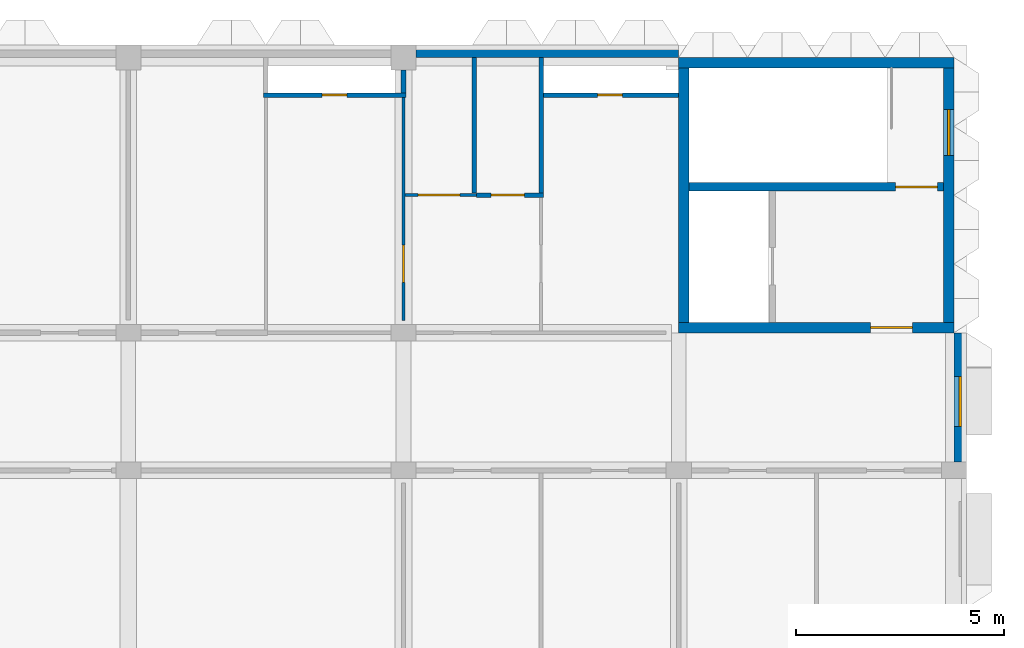
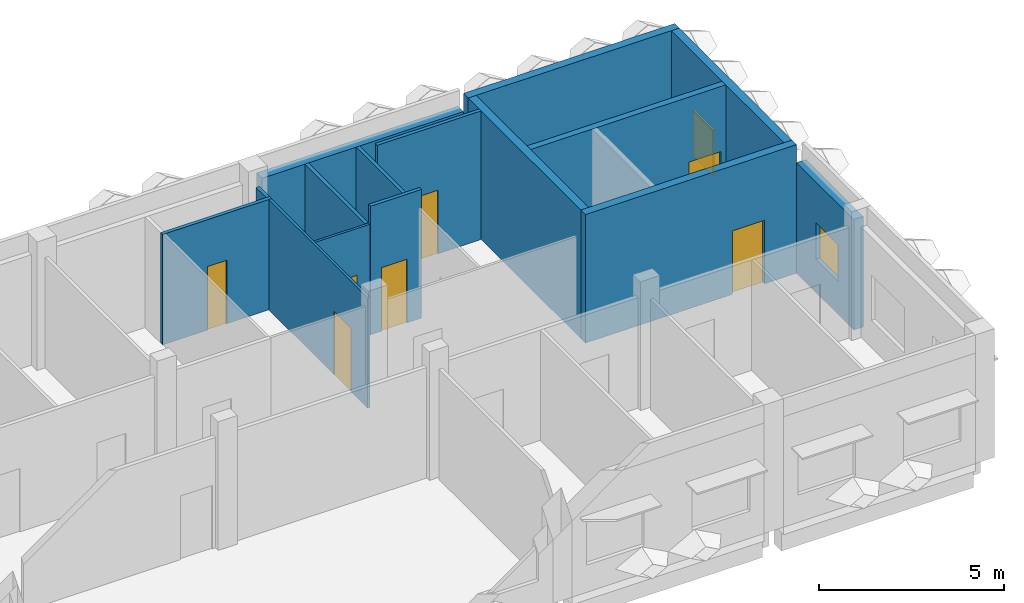
# One storey, part 35 of 85: 15 walls, 7 doors, 2 windows, 9 openings.
"""IFC4 building model written with IfcOpenShell, lengths in metres."""

from ifc_helpers import new_model, si_unit, direction, frame, frame_2d, origin, place, context, subcontext, project, spatial, rectangle, extrude, material, layer, layer_set, type_object, element, fill, save


model = new_model("IFC4")

# Units and contexts
model_context = context("Model", 3, precision=1e-05, world=origin(), true_north=direction((0.0, 1.0)))
body_context = subcontext(model_context, "Body", "Model", "MODEL_VIEW")
ifc_project = project(units=[si_unit("LENGTHUNIT", "METRE"), si_unit("AREAUNIT", "SQUARE_METRE"), si_unit("VOLUMEUNIT", "CUBIC_METRE"), si_unit("PLANEANGLEUNIT", "RADIAN"), si_unit("MASSUNIT", "GRAM", prefix="KILO")], contexts=[model_context])

# Site, building, storey
site_placement = place(None, origin())
site = spatial("IfcSite", under=ifc_project, at=site_placement, CompositionType="ELEMENT")
building_placement = place(site_placement, origin())
building = spatial("IfcBuilding", under=site, at=building_placement, Name="Lantern Court Research Institute", CompositionType="ELEMENT")
storey_placement = place(building_placement, frame((0.0, 0.0, 18.89990234375)))
storey = spatial("IfcBuildingStorey", under=building, at=storey_placement, Name="L04", CompositionType="ELEMENT", Elevation=18.89990234375)

# Wall, opening, window
ifc_material_1 = material(Name="Concrete C30/37", Category="concrete")
ifc_layer_1 = layer(ifc_material_1, 0.300048828125)
ifc_layer_set_1 = layer_set([ifc_layer_1], Name="Concrete C30/37")
wall_type_1 = type_object("IfcWallType", Name="Insulated concrete infill wall 300", PredefinedType="STANDARD", material=ifc_layer_set_1)
wall_1_placement = place(storey_placement, frame((79.35009765625, 92.39990234375, 0.0), z_axis=(0.0, 0.0, 1.0), x_axis=(0.0, -1.0, 0.0)))
wall_1 = element("IfcWall", 1, at=wall_1_placement, inside=storey, type_object=wall_type_1, Name="Exterior wall EW204", PredefinedType="STANDARD", context=body_context, shape_type="SweptSolid", body=[
    extrude(rectangle(XDim=3.099853515625, YDim=0.300048828125, at=frame_2d((1.5498046875, 0.0))), origin(), (0.0, 0.0, 1.0), 3.650146484375),
])
opening_1_placement = place(wall_1_placement, frame((1.050048828125, 0.0, 1.10009765625)))
opening_1 = element("IfcOpeningElement", 2, at=opening_1_placement, cuts=wall_1, Name="Opening W05", PredefinedType="OPENING", context=body_context, shape_type="SweptSolid", body=[
    extrude(rectangle(XDim=1.199951171875, YDim=1.199951171875, at=frame_2d((0.60009765625, 0.60009765625))), frame((0.0, 0.159912109375, 0.0), z_axis=(0.0, -1.0, 0.0), x_axis=(1.0, 0.0, 0.0)), (0.0, 0.0, 1.0), 0.320068359375),
])
ifc_material_2 = material(Name="Aluminium frame with laminated low-emissivity glazing", Category="aluminium")
window_type_1 = type_object("IfcWindowType", Name="Corridor end window 1200 x 1200", PartitioningType="SINGLE_PANEL", PredefinedType="WINDOW", material=ifc_material_2)
window_1_placement = place(opening_1_placement, origin())
window_1 = element("IfcWindow", 3, at=window_1_placement, inside=storey, type_object=window_type_1, Name="Window W05 V6E L04", OverallHeight=1.199951171875, OverallWidth=1.199951171875, PartitioningType="SINGLE_PANEL", PredefinedType="WINDOW", context=body_context, shape_type="SweptSolid", body=[
    extrude(rectangle(XDim=1.199951171875, YDim=1.199951171875, at=frame_2d((0.60009765625, 0.60009765625))), frame((0.0, 0.030029296875, 0.0), z_axis=(0.0, -1.0, 0.0), x_axis=(1.0, 0.0, 0.0)), (0.0, 0.0, 1.0), 0.06005859375),
])
fill(opening_1, window_1)

# Wall
ifc_material_3 = material(Name="Concrete C30/37", Category="concrete")
ifc_layer_2 = layer(ifc_material_3, 0.300048828125)
ifc_layer_set_2 = layer_set([ifc_layer_2], Name="Concrete C30/37")
wall_type_2 = type_object("IfcWallType", Name="Party wall 300 concrete EI 120", PredefinedType="STANDARD", material=ifc_layer_set_2)
wall_2_placement = place(storey_placement, frame((66.300048828125, 99.14990234375, 0.0), z_axis=(0.0, 0.0, 1.0), x_axis=(1.0, 0.0, 0.0)))
element("IfcWall", 4, at=wall_2_placement, inside=storey, type_object=wall_type_2, Name="Exterior wall EW214", PredefinedType="STANDARD", context=body_context, shape_type="SweptSolid", body=[
    extrude(rectangle(XDim=6.300048828125, YDim=0.300048828125, at=frame_2d((3.14990234375, 0.0))), origin(), (0.0, 0.0, 1.0), 3.650146484375),
])

# Wall, opening, door
ifc_material_4 = material(Name="Concrete C40/50", Category="concrete")
ifc_layer_3 = layer(ifc_material_4, 0.25)
ifc_layer_set_3 = layer_set([ifc_layer_3], Name="Concrete C40/50")
wall_type_3 = type_object("IfcWallType", Name="RC core wall 250", PredefinedType="SHEAR", material=ifc_layer_set_3)
wall_3_placement = place(storey_placement, frame((72.60009765625, 92.52490234375, 0.0), z_axis=(0.0, 0.0, 1.0), x_axis=(1.0, 0.0, 0.0)))
wall_3 = element("IfcWall", 5, at=wall_3_placement, inside=storey, type_object=wall_type_3, Name="South wall of core WC-E", PredefinedType="SHEAR", context=body_context, shape_type="SweptSolid", body=[
    extrude(rectangle(XDim=6.599853515625, YDim=0.25, at=frame_2d((3.2998046875, 0.0))), origin(), (0.0, 0.0, 1.0), 4.25),
])
opening_2_placement = place(wall_3_placement, frame((4.60009765625, 0.0, 0.0)))
opening_2 = element("IfcOpeningElement", 6, at=opening_2_placement, cuts=wall_3, Name="Opening D7271", PredefinedType="OPENING", context=body_context, shape_type="SweptSolid", body=[
    extrude(rectangle(XDim=1.0, YDim=2.10009765625, at=frame_2d((0.5, 1.050048828125))), frame((0.0, 0.135009765625, 0.0), z_axis=(0.0, -1.0, 0.0), x_axis=(1.0, 0.0, 0.0)), (0.0, 0.0, 1.0), 0.27001953125),
])
ifc_material_5 = material(Name="Steel fire door leaf with smoke seals", Category="steel")
door_type_1 = type_object("IfcDoorType", Name="Door 1000 x 2100 fire rated FD60S", OperationType="NOTDEFINED", PredefinedType="DOOR", material=ifc_material_5)
door_1_placement = place(opening_2_placement, origin())
door_1 = element("IfcDoor", 7, at=door_1_placement, inside=storey, type_object=door_type_1, Name="Lobby door", OperationType="SINGLE_SWING_LEFT", OverallHeight=2.10009765625, OverallWidth=1.0, PredefinedType="DOOR", context=body_context, shape_type="SweptSolid", body=[
    extrude(rectangle(XDim=1.0, YDim=2.10009765625, at=frame_2d((0.5, 1.050048828125))), frame((0.0, 0.02490234375, 0.0), z_axis=(0.0, -1.0, 0.0), x_axis=(1.0, 0.0, 0.0)), (0.0, 0.0, 1.0), 0.050048828125),
])
fill(opening_2, door_1)

# Walls
wall_4_placement = place(storey_placement, frame((72.72509765625, 92.64990234375, 0.0), z_axis=(0.0, 0.0, 1.0), x_axis=(0.0, 1.0, 0.0)))
element("IfcWall", 8, at=wall_4_placement, inside=storey, type_object=wall_type_3, Name="West wall of core WC-E", PredefinedType="SHEAR", context=body_context, shape_type="SweptSolid", body=[
    extrude(rectangle(XDim=6.10009765625, YDim=0.25, at=frame_2d((3.050048828125, 0.0))), origin(), (0.0, 0.0, 1.0), 4.25),
])
ifc_material_6 = material(Name="Concrete C40/50", Category="concrete")
ifc_layer_4 = layer(ifc_material_6, 0.25)
ifc_layer_set_4 = layer_set([ifc_layer_4], Name="Concrete C40/50")
wall_type_4 = type_object("IfcWallType", Name="RC core wall 250 facade", PredefinedType="SHEAR", material=ifc_layer_set_4)
wall_5_placement = place(storey_placement, frame((72.60009765625, 98.875, 0.0), z_axis=(0.0, 0.0, 1.0), x_axis=(1.0, 0.0, 0.0)))
element("IfcWall", 9, at=wall_5_placement, inside=storey, type_object=wall_type_4, Name="North wall of core WC-E", PredefinedType="SHEAR", context=body_context, shape_type="SweptSolid", body=[
    extrude(rectangle(XDim=6.599853515625, YDim=0.25, at=frame_2d((3.2998046875, 0.0))), origin(), (0.0, 0.0, 1.0), 4.25),
])

# Wall, opening, window
wall_6_placement = place(storey_placement, frame((79.074951171875, 92.64990234375, 0.0), z_axis=(0.0, 0.0, 1.0), x_axis=(0.0, 1.0, 0.0)))
wall_6 = element("IfcWall", 10, at=wall_6_placement, inside=storey, type_object=wall_type_4, Name="East wall of core WC-E", PredefinedType="SHEAR", context=body_context, shape_type="SweptSolid", body=[
    extrude(rectangle(XDim=6.10009765625, YDim=0.25, at=frame_2d((3.050048828125, 0.0))), origin(), (0.0, 0.0, 1.0), 4.25),
])
opening_3_placement = place(wall_6_placement, frame((4.0, 0.0, 0.699951171875)))
opening_3 = element("IfcOpeningElement", 11, at=opening_3_placement, cuts=wall_6, Name="Opening W5", PredefinedType="OPENING", context=body_context, shape_type="SweptSolid", body=[
    extrude(rectangle(XDim=1.10009765625, YDim=1.5, at=frame_2d((0.550048828125, 0.75))), frame((0.0, 0.135009765625, 0.0), z_axis=(0.0, -1.0, 0.0), x_axis=(1.0, 0.0, 0.0)), (0.0, 0.0, 1.0), 0.27001953125),
])
ifc_material_7 = material(Name="Aluminium alloy 6063-T6 frame with laminated glass", Category="aluminium")
window_type_2 = type_object("IfcWindowType", Name="Stair window 1100 x 1500", PartitioningType="SINGLE_PANEL", PredefinedType="WINDOW", material=ifc_material_7)
window_2_placement = place(opening_3_placement, origin())
window_2 = element("IfcWindow", 12, at=window_2_placement, inside=storey, type_object=window_type_2, Name="Stair window", OverallHeight=1.5, OverallWidth=1.10009765625, PartitioningType="SINGLE_PANEL", PredefinedType="WINDOW", context=body_context, shape_type="SweptSolid", body=[
    extrude(rectangle(XDim=1.10009765625, YDim=1.5, at=frame_2d((0.550048828125, 0.75))), frame((0.0, 0.030029296875, 0.0), z_axis=(0.0, -1.0, 0.0), x_axis=(1.0, 0.0, 0.0)), (0.0, 0.0, 1.0), 0.06005859375),
])
fill(opening_3, window_2)

# Wall, opening, door
ifc_material_8 = material(Name="Concrete C40/50", Category="concrete")
ifc_layer_5 = layer(ifc_material_8, 0.199951171875)
ifc_layer_set_5 = layer_set([ifc_layer_5], Name="Concrete C40/50")
wall_type_5 = type_object("IfcWallType", Name="RC shaft wall 200", PredefinedType="SHEAR", material=ifc_layer_set_5)
wall_7_placement = place(storey_placement, frame((72.85009765625, 95.89990234375, 0.0), z_axis=(0.0, 0.0, 1.0), x_axis=(1.0, 0.0, 0.0)))
wall_7 = element("IfcWall", 13, at=wall_7_placement, inside=storey, type_object=wall_type_5, Name="Stair wall of core WC-E", PredefinedType="SHEAR", context=body_context, shape_type="SweptSolid", body=[
    extrude(rectangle(XDim=6.099853515625, YDim=0.199951171875, at=frame_2d((3.0498046875, 0.0))), origin(), (0.0, 0.0, 1.0), 4.25),
])
opening_4_placement = place(wall_7_placement, frame((4.949951171875, 0.0, 0.0)))
opening_4 = element("IfcOpeningElement", 14, at=opening_4_placement, cuts=wall_7, Name="Opening D7272", PredefinedType="OPENING", context=body_context, shape_type="SweptSolid", body=[
    extrude(rectangle(XDim=1.0, YDim=2.10009765625, at=frame_2d((0.5, 1.050048828125))), frame((0.0, 0.10986328125, 0.0), z_axis=(0.0, -1.0, 0.0), x_axis=(1.0, 0.0, 0.0)), (0.0, 0.0, 1.0), 0.219970703125),
])
door_2_placement = place(opening_4_placement, origin())
door_2 = element("IfcDoor", 15, at=door_2_placement, inside=storey, type_object=door_type_1, Name="Stair door", OperationType="SINGLE_SWING_LEFT", OverallHeight=2.10009765625, OverallWidth=1.0, PredefinedType="DOOR", context=body_context, shape_type="SweptSolid", body=[
    extrude(rectangle(XDim=1.0, YDim=2.10009765625, at=frame_2d((0.5, 1.050048828125))), frame((0.0, 0.02490234375, 0.0), z_axis=(0.0, -1.0, 0.0), x_axis=(1.0, 0.0, 0.0)), (0.0, 0.0, 1.0), 0.050048828125),
])
fill(opening_4, door_2)

ifc_material_9 = material(Name="Fire-rated gypsum board on metal studs")
ifc_layer_6 = layer(ifc_material_9, 0.110107421875)
ifc_layer_set_6 = layer_set([ifc_layer_6], Name="Fire-rated gypsum board on metal studs")
wall_type_6 = type_object("IfcWallType", Name="Riser wall 110 mm EI 60", PredefinedType="PARTITIONING", material=ifc_layer_set_6)
wall_8_placement = place(storey_placement, frame((67.7548828125, 95.699951171875, 0.0), z_axis=(0.0, 0.0, 1.0), x_axis=(1.0, 0.0, 0.0)))
wall_8 = element("IfcWall", 16, at=wall_8_placement, inside=storey, type_object=wall_type_6, Name="Wall V6-L04-027", PredefinedType="PARTITIONING", context=body_context, shape_type="SweptSolid", body=[
    extrude(rectangle(XDim=1.60009765625, YDim=0.110107421875, at=frame_2d((0.800048828125, 0.0))), origin(), (0.0, 0.0, 1.0), 4.25),
])
opening_5_placement = place(wall_8_placement, frame((0.344970703125, 0.0, 0.0)))
opening_5 = element("IfcOpeningElement", 17, at=opening_5_placement, cuts=wall_8, Name="Opening D6429", PredefinedType="OPENING", context=body_context, shape_type="SweptSolid", body=[
    extrude(rectangle(XDim=0.800048828125, YDim=2.10009765625, at=frame_2d((0.39990234375, 1.050048828125))), frame((0.0, 0.06494140625, 0.0), z_axis=(0.0, -1.0, 0.0), x_axis=(1.0, 0.0, 0.0)), (0.0, 0.0, 1.0), 0.130126953125),
])
ifc_material_10 = material(Name="Coated metal door leaf")
door_type_2 = type_object("IfcDoorType", Name="Door 800 x 2100 cleaners store FD60", OperationType="NOTDEFINED", PredefinedType="DOOR", material=ifc_material_10)
door_3_placement = place(opening_5_placement, origin())
door_3 = element("IfcDoor", 18, at=door_3_placement, inside=storey, type_object=door_type_2, Name="Door D6429", OperationType="SINGLE_SWING_LEFT", OverallHeight=2.10009765625, OverallWidth=0.800048828125, PredefinedType="DOOR", context=body_context, shape_type="SweptSolid", body=[
    extrude(rectangle(XDim=0.800048828125, YDim=2.10009765625, at=frame_2d((0.39990234375, 1.050048828125))), frame((0.0, 0.02490234375, 0.0), z_axis=(0.0, -1.0, 0.0), x_axis=(1.0, 0.0, 0.0)), (0.0, 0.0, 1.0), 0.050048828125),
])
fill(opening_5, door_3)

wall_9_placement = place(storey_placement, frame((66.054931640625, 98.10009765625, 0.0), z_axis=(0.0, 0.0, 1.0), x_axis=(-1.0, 0.0, 0.0)))
wall_9 = element("IfcWall", 19, at=wall_9_placement, inside=storey, type_object=wall_type_6, Name="Wall V6-L04-030", PredefinedType="PARTITIONING", context=body_context, shape_type="SweptSolid", body=[
    extrude(rectangle(XDim=3.409912109375, YDim=0.110107421875, at=frame_2d((1.705078125, 0.0))), origin(), (0.0, 0.0, 1.0), 3.650146484375),
])
opening_6_placement = place(wall_9_placement, frame((1.405029296875, 0.0, 0.0)))
opening_6 = element("IfcOpeningElement", 20, at=opening_6_placement, cuts=wall_9, Name="Opening D6432", PredefinedType="OPENING", context=body_context, shape_type="SweptSolid", body=[
    extrude(rectangle(XDim=0.60009765625, YDim=2.10009765625, at=frame_2d((0.300048828125, 1.050048828125))), frame((0.0, 0.06494140625, 0.0), z_axis=(0.0, -1.0, 0.0), x_axis=(1.0, 0.0, 0.0)), (0.0, 0.0, 1.0), 0.130126953125),
])
ifc_material_11 = material(Name="Coated metal door leaf")
door_type_3 = type_object("IfcDoorType", Name="Door 600 x 2100 riser FD60", OperationType="NOTDEFINED", PredefinedType="DOOR", material=ifc_material_11)
door_4_placement = place(opening_6_placement, origin())
door_4 = element("IfcDoor", 21, at=door_4_placement, inside=storey, type_object=door_type_3, Name="Door D6432", OperationType="SINGLE_SWING_RIGHT", OverallHeight=2.10009765625, OverallWidth=0.60009765625, PredefinedType="DOOR", context=body_context, shape_type="SweptSolid", body=[
    extrude(rectangle(XDim=0.60009765625, YDim=2.10009765625, at=frame_2d((0.300048828125, 1.050048828125))), frame((0.0, 0.02490234375, 0.0), z_axis=(0.0, -1.0, 0.0), x_axis=(1.0, 0.0, 0.0)), (0.0, 0.0, 1.0), 0.050048828125),
])
fill(opening_6, door_4)

wall_10_placement = place(storey_placement, frame((72.60009765625, 98.10009765625, 0.0), z_axis=(0.0, 0.0, 1.0), x_axis=(-1.0, 0.0, 0.0)))
wall_10 = element("IfcWall", 22, at=wall_10_placement, inside=storey, type_object=wall_type_6, Name="Wall V6-L04-031", PredefinedType="PARTITIONING", context=body_context, shape_type="SweptSolid", body=[
    extrude(rectangle(XDim=3.2451171875, YDim=0.110107421875, at=frame_2d((1.62255859375, 0.0))), origin(), (0.0, 0.0, 1.0), 4.25),
])
opening_7_placement = place(wall_10_placement, frame((1.35009765625, 0.0, 0.0)))
opening_7 = element("IfcOpeningElement", 23, at=opening_7_placement, cuts=wall_10, Name="Opening D6433", PredefinedType="OPENING", context=body_context, shape_type="SweptSolid", body=[
    extrude(rectangle(XDim=0.60009765625, YDim=2.10009765625, at=frame_2d((0.300048828125, 1.050048828125))), frame((0.0, 0.06494140625, 0.0), z_axis=(0.0, -1.0, 0.0), x_axis=(1.0, 0.0, 0.0)), (0.0, 0.0, 1.0), 0.130126953125),
])
door_5_placement = place(opening_7_placement, origin())
door_5 = element("IfcDoor", 24, at=door_5_placement, inside=storey, type_object=door_type_3, Name="Door D6433", OperationType="SINGLE_SWING_LEFT", OverallHeight=2.10009765625, OverallWidth=0.60009765625, PredefinedType="DOOR", context=body_context, shape_type="SweptSolid", body=[
    extrude(rectangle(XDim=0.60009765625, YDim=2.10009765625, at=frame_2d((0.300048828125, 1.050048828125))), frame((0.0, 0.02490234375, 0.0), z_axis=(0.0, -1.0, 0.0), x_axis=(1.0, 0.0, 0.0)), (0.0, 0.0, 1.0), 0.050048828125),
])
fill(opening_7, door_5)

# Walls
wall_11_placement = place(storey_placement, frame((66.0, 98.155029296875, 0.0), z_axis=(0.0, 0.0, 1.0), x_axis=(0.0, 1.0, 0.0)))
element("IfcWall", 25, at=wall_11_placement, inside=storey, type_object=wall_type_6, Name="Wall V6-L04-059", PredefinedType="PARTITIONING", context=body_context, shape_type="SweptSolid", body=[
    extrude(rectangle(XDim=0.544921875, YDim=0.110107421875, at=frame_2d((0.2724609375, 0.0))), origin(), (0.0, 0.0, 1.0), 3.650146484375),
])
for number, where, z_axis, x_axis, name in (
    (26, (67.699951171875, 95.7548828125, 0.0), (0.0, 0.0, 1.0), (0.0, 1.0, 0.0), "Wall V6-L04-060"),
    (27, (69.300048828125, 95.7548828125, 0.0), (0.0, 0.0, 1.0), (0.0, 1.0, 0.0), "Wall V6-L04-063"),
):
    element("IfcWall", number, at=place(storey_placement, frame(where, z_axis=z_axis, x_axis=x_axis)), inside=storey, type_object=wall_type_6, Name=name, PredefinedType="PARTITIONING", context=body_context, shape_type="SweptSolid", body=[
        extrude(rectangle(XDim=3.2451171875, YDim=0.110107421875, at=frame_2d((1.62255859375, 0.0))), origin(), (0.0, 0.0, 1.0), 3.650146484375),
    ])

# Wall, opening, door
ifc_material_12 = material(Name="Gypsum board on metal studs")
ifc_layer_7 = layer(ifc_material_12, 0.074951171875)
ifc_layer_set_7 = layer_set([ifc_layer_7], Name="Gypsum board on metal studs")
wall_type_7 = type_object("IfcWallType", Name="Service partition 75 mm", PredefinedType="PARTITIONING", material=ifc_layer_set_7)
wall_12_placement = place(storey_placement, frame((67.7548828125, 95.699951171875, 0.0), z_axis=(0.0, 0.0, 1.0), x_axis=(-1.0, 0.0, 0.0)))
wall_12 = element("IfcWall", 28, at=wall_12_placement, inside=storey, type_object=wall_type_7, Name="Wall V6-L04-026", PredefinedType="PARTITIONING", context=body_context, shape_type="SweptSolid", body=[
    extrude(rectangle(XDim=1.7177734375, YDim=0.074951171875, at=frame_2d((0.85888671875, 0.0))), origin(), (0.0, 0.0, 1.0), 3.650146484375),
])
opening_8_placement = place(wall_12_placement, frame((0.405029296875, 0.0, 0.0)))
opening_8 = element("IfcOpeningElement", 29, at=opening_8_placement, cuts=wall_12, Name="Opening D6428", PredefinedType="OPENING", context=body_context, shape_type="SweptSolid", body=[
    extrude(rectangle(XDim=1.0, YDim=2.10009765625, at=frame_2d((0.5, 1.050048828125))), frame((0.0, 0.04736328125, 0.0), z_axis=(0.0, -1.0, 0.0), x_axis=(1.0, 0.0, 0.0)), (0.0, 0.0, 1.0), 0.094970703125),
])
ifc_material_13 = material(Name="Timber veneered door leaf", Category="wood")
door_type_4 = type_object("IfcDoorType", Name="Door 1000 x 2100 accessible WC", OperationType="NOTDEFINED", PredefinedType="DOOR", material=ifc_material_13)
door_6_placement = place(opening_8_placement, origin())
door_6 = element("IfcDoor", 30, at=door_6_placement, inside=storey, type_object=door_type_4, Name="Door D6428", OperationType="SINGLE_SWING_RIGHT", OverallHeight=2.10009765625, OverallWidth=1.0, PredefinedType="DOOR", context=body_context, shape_type="SweptSolid", body=[
    extrude(rectangle(XDim=1.0, YDim=2.10009765625, at=frame_2d((0.5, 1.050048828125))), frame((0.0, 0.02490234375, 0.0), z_axis=(0.0, -1.0, 0.0), x_axis=(1.0, 0.0, 0.0)), (0.0, 0.0, 1.0), 0.050048828125),
])
fill(opening_8, door_6)

wall_13_placement = place(storey_placement, frame((66.0, 92.699951171875, 0.0), z_axis=(0.0, 0.0, 1.0), x_axis=(0.0, 1.0, 0.0)))
wall_13 = element("IfcWall", 31, at=wall_13_placement, inside=storey, type_object=wall_type_7, Name="Wall V6-L04-058", PredefinedType="PARTITIONING", context=body_context, shape_type="SweptSolid", body=[
    extrude(rectangle(XDim=5.344970703125, YDim=0.074951171875, at=frame_2d((2.67236328125, 0.0))), origin(), (0.0, 0.0, 1.0), 3.650146484375),
])
opening_9_placement = place(wall_13_placement, frame((0.89990234375, 0.0, 0.0)))
opening_9 = element("IfcOpeningElement", 32, at=opening_9_placement, cuts=wall_13, Name="Opening D6436", PredefinedType="OPENING", context=body_context, shape_type="SweptSolid", body=[
    extrude(rectangle(XDim=0.89990234375, YDim=2.10009765625, at=frame_2d((0.449951171875, 1.050048828125))), frame((0.0, 0.04736328125, 0.0), z_axis=(0.0, -1.0, 0.0), x_axis=(1.0, 0.0, 0.0)), (0.0, 0.0, 1.0), 0.094970703125),
])
ifc_material_14 = material(Name="Timber veneered door leaf", Category="wood")
door_type_5 = type_object("IfcDoorType", Name="Door 900 x 2100 WC", OperationType="NOTDEFINED", PredefinedType="DOOR", material=ifc_material_14)
door_7_placement = place(opening_9_placement, origin())
door_7 = element("IfcDoor", 33, at=door_7_placement, inside=storey, type_object=door_type_5, Name="Door D6436", OperationType="SINGLE_SWING_LEFT", OverallHeight=2.10009765625, OverallWidth=0.89990234375, PredefinedType="DOOR", context=body_context, shape_type="SweptSolid", body=[
    extrude(rectangle(XDim=0.89990234375, YDim=2.10009765625, at=frame_2d((0.449951171875, 1.050048828125))), frame((0.0, 0.02490234375, 0.0), z_axis=(0.0, -1.0, 0.0), x_axis=(1.0, 0.0, 0.0)), (0.0, 0.0, 1.0), 0.050048828125),
])
fill(opening_9, door_7)

save(model, "model.ifc")
